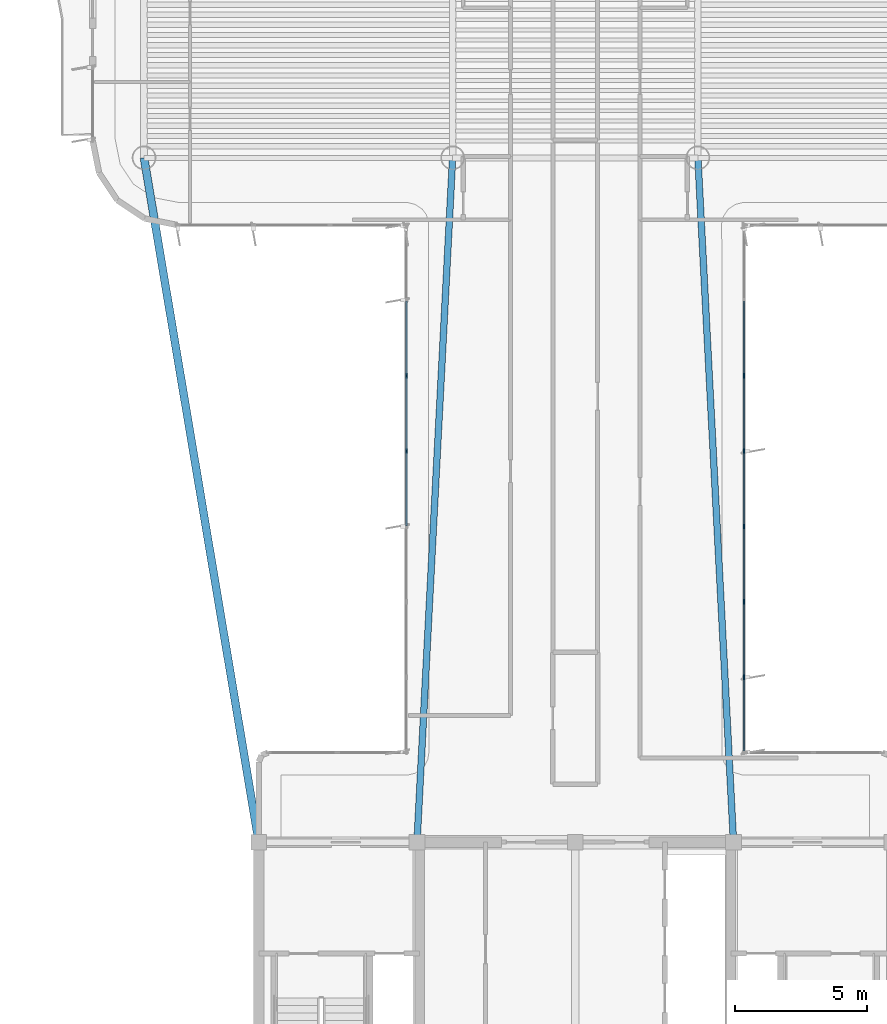
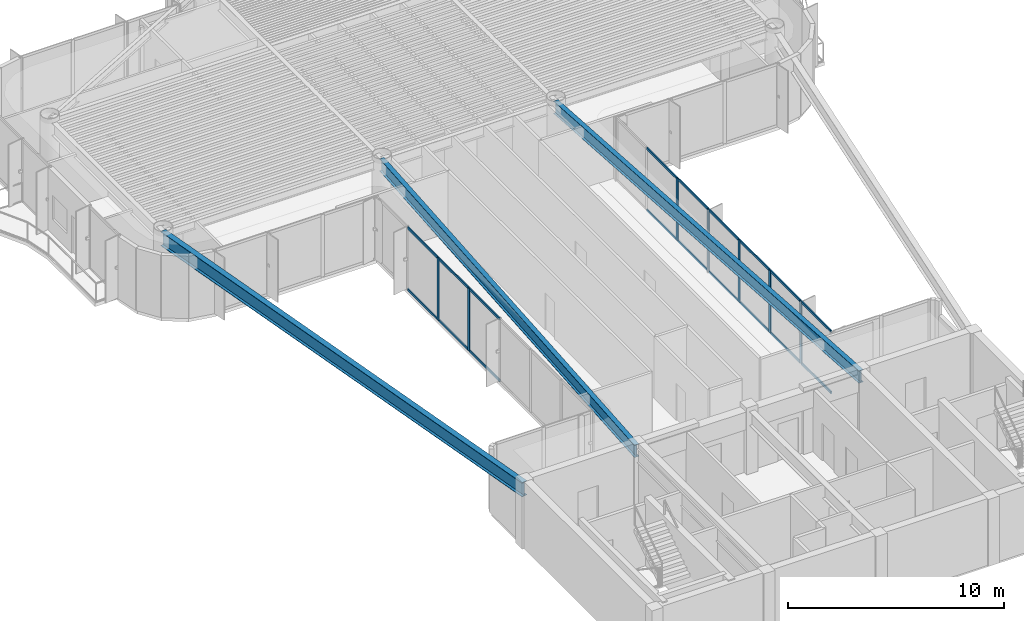
# One storey, part 3 of 15: 25 members, 3 beams, 2 elements without a shape of their own.
"""IFC4 building model written with IfcOpenShell, lengths in metres."""

from ifc_helpers import new_model, si_unit, direction, frame, origin, origin_2d, place, context, subcontext, project, spatial, rectangle, i_section, extrude, source, transform, mapped, material, layer, layer_set, material_profile, profile_set, type_object, element, aggregate, save


model = new_model("IFC4")

# Units and contexts
model_context = context("Model", 3, precision=1e-05, world=origin(), true_north=direction((0.0, 1.0)))
body_context = subcontext(model_context, "Body", "Model", "MODEL_VIEW")
ifc_project = project(units=[si_unit("LENGTHUNIT", "METRE"), si_unit("AREAUNIT", "SQUARE_METRE"), si_unit("VOLUMEUNIT", "CUBIC_METRE"), si_unit("PLANEANGLEUNIT", "RADIAN"), si_unit("MASSUNIT", "GRAM", prefix="KILO")], contexts=[model_context])

# Site, building, storey
site_placement = place(None, origin())
site = spatial("IfcSite", under=ifc_project, at=site_placement, CompositionType="ELEMENT")
building_placement = place(site_placement, origin())
building = spatial("IfcBuilding", under=site, at=building_placement, Name="Brelvock Crest Care Tower", CompositionType="ELEMENT")
storey_placement = place(building_placement, frame((0.0, 0.0, 272.159912109375)))
storey = spatial("IfcBuildingStorey", under=building, at=storey_placement, Name="L69", CompositionType="ELEMENT", Elevation=272.159912109375)

# Beams
ifc_material_1 = material(Name="Steel Grade 350", Category="steel")
ifc_material_profile_1 = material_profile(ifc_material_1, i_section(OverallWidth=0.25, OverallDepth=0.699951171875, WebThickness=0.011962890625, FlangeThickness=0.02001953125, at=origin_2d()), Name="700WB150")
ifc_profile_set_1 = profile_set([ifc_material_profile_1], Name="Steel Grade 350")
beam_type_1 = type_object("IfcBeamType", Name="BM-G4", PredefinedType="BEAM", material=ifc_profile_set_1)
shared_shape_1 = source(origin(), body_context, "Body", "SweptSolid", [
    extrude(i_section(OverallWidth=0.25, OverallDepth=0.699951171875, WebThickness=0.011962890625, FlangeThickness=0.02001953125, at=origin_2d()), origin(), (0.0, 0.0, 1.0), 25.985107421875),
])
for number, where, z_axis, x_axis, name in (
    (1, (30.0, 18.0, 3.18017578125), (0.051956711656, 0.998649337913, 0.0), (-0.998649337913, 0.051956711656, 0.0), "BM-THRW-L69"),
    (2, (42.0, 18.0, 3.18017578125), (-0.051956711656, 0.998649337913, 0.0), (-0.998649337913, -0.051956711656, 0.0), "BM-THRE-L69"),
):
    element("IfcBeam", number, at=place(storey_placement, frame(where, z_axis=z_axis, x_axis=x_axis)), inside=storey, type_object=beam_type_1, Name=name, PredefinedType="BEAM", context=body_context, shape_type="MappedRepresentation", body=[
        mapped(shared_shape_1, transform((0.0, 0.0, 0.0), x_axis=(1.0, 0.0, 0.0), y_axis=(0.0, 1.0, 0.0), z_axis=(0.0, 0.0, 1.0), scale=1.0)),
    ])
ifc_material_profile_2 = material_profile(ifc_material_1, i_section(OverallWidth=0.300048828125, OverallDepth=0.800048828125, WebThickness=0.013916015625, FlangeThickness=0.02197265625, at=origin_2d()), Name="800WB192")
ifc_profile_set_2 = profile_set([ifc_material_profile_2], Name="Steel Grade 350")
beam_type_2 = type_object("IfcBeamType", Name="BM-G5", PredefinedType="BEAM", material=ifc_profile_set_2)
shared_shape_2 = source(origin(), body_context, "Body", "SweptSolid", [
    extrude(i_section(OverallWidth=0.300048828125, OverallDepth=0.800048828125, WebThickness=0.013916015625, FlangeThickness=0.02197265625, at=origin_2d()), origin(), (0.0, 0.0, 1.0), 26.31201171875),
])
beam_placement = place(storey_placement, frame((24.0, 18.0, 3.130126953125), z_axis=(-0.165327282709, 0.986238758918, 0.0), x_axis=(-0.986238758918, -0.165327282709, 0.0)))
element("IfcBeam", 3, at=beam_placement, inside=storey, type_object=beam_type_2, Name="BM-THRO-W-L69", PredefinedType="BEAM", context=body_context, shape_type="MappedRepresentation", body=[
    mapped(shared_shape_2, transform((0.0, 0.0, 0.0), x_axis=(1.0, 0.0, 0.0), y_axis=(0.0, 1.0, 0.0), z_axis=(0.0, 0.0, 1.0), scale=1.0)),
])

# Curtain wall, members
ifc_material_2 = material(Name="Dark Glass Double Glazed Low-E", Category="glass")
ifc_layer = layer(ifc_material_2, 0.239990234375, Name="CWS-5")
ifc_layer_set = layer_set([ifc_layer], Name="Dark Glass Double Glazed Low-E")
curtain_wall_type = type_object("IfcCurtainWallType", Name="CWS-5", PredefinedType="NOTDEFINED", material=ifc_layer_set)
curtain_wall_1_placement = place(storey_placement, origin())
curtain_wall_1 = element("IfcCurtainWall", 4, at=curtain_wall_1_placement, inside=storey, type_object=curtain_wall_type, Name="L69 Curtain Wall E11", PredefinedType="NOTDEFINED")
ifc_material_3 = material(Name="Aluminium 6063-T6", Category="aluminium")
ifc_material_profile_3 = material_profile(ifc_material_3, rectangle(XDim=0.06005859375, YDim=0.179931640625, at=origin_2d()), Name="ALU60x180")
ifc_profile_set_3 = profile_set([ifc_material_profile_3], Name="Aluminium 6063-T6")
member_type_1 = type_object("IfcMemberType", Name="CWM-2", PredefinedType="MULLION", material=ifc_profile_set_3)
shared_shape_3 = source(origin(), body_context, "Body", "SweptSolid", [
    extrude(rectangle(XDim=0.06005859375, YDim=0.179931640625, at=origin_2d()), origin(), (0.0, 0.0, 1.0), 3.530029296875),
])
member_1_placement = place(storey_placement, frame((29.60009765625, 32.82861328125, 0.0), z_axis=(0.0, 0.0, 1.0), x_axis=(-1.0, 0.0, 0.0)))
member_1 = element("IfcMember", 5, at=member_1_placement, type_object=member_type_1, Name="CW-5 mullion 5", PredefinedType="MULLION", context=body_context, shape_type="MappedRepresentation", body=[
    mapped(shared_shape_3, transform((0.0, 0.0, 0.0), x_axis=(1.0, 0.0, 0.0), y_axis=(0.0, 1.0, 0.0), z_axis=(0.0, 0.0, 1.0), scale=1.0)),
])
member_2_placement = place(storey_placement, frame((29.60009765625, 35.685791015625, 0.0), z_axis=(0.0, 0.0, 1.0), x_axis=(-1.0, 0.0, 0.0)))
member_2 = element("IfcMember", 6, at=member_2_placement, type_object=member_type_1, Name="CW-5 mullion 6", PredefinedType="MULLION", context=body_context, shape_type="MappedRepresentation", body=[
    mapped(shared_shape_3, transform((0.0, 0.0, 0.0), x_axis=(1.0, 0.0, 0.0), y_axis=(0.0, 1.0, 0.0), z_axis=(0.0, 0.0, 1.0), scale=1.0)),
])

curtain_wall_2_placement = place(storey_placement, origin())
curtain_wall_2 = element("IfcCurtainWall", 7, at=curtain_wall_2_placement, inside=storey, type_object=curtain_wall_type, Name="L69 Curtain Wall E45", PredefinedType="NOTDEFINED")
member_3_placement = place(storey_placement, frame((42.39990234375, 35.685791015625, 0.0), z_axis=(0.0, 0.0, 1.0), x_axis=(1.0, 0.0, 0.0)))
member_3 = element("IfcMember", 8, at=member_3_placement, type_object=member_type_1, Name="CW-5 mullion 3", PredefinedType="MULLION", context=body_context, shape_type="MappedRepresentation", body=[
    mapped(shared_shape_3, transform((0.0, 0.0, 0.0), x_axis=(1.0, 0.0, 0.0), y_axis=(0.0, 1.0, 0.0), z_axis=(0.0, 0.0, 1.0), scale=1.0)),
])
member_4_placement = place(storey_placement, frame((42.39990234375, 32.82861328125, 0.0), z_axis=(0.0, 0.0, 1.0), x_axis=(1.0, 0.0, 0.0)))
member_4 = element("IfcMember", 9, at=member_4_placement, type_object=member_type_1, Name="CW-5 mullion 4", PredefinedType="MULLION", context=body_context, shape_type="MappedRepresentation", body=[
    mapped(shared_shape_3, transform((0.0, 0.0, 0.0), x_axis=(1.0, 0.0, 0.0), y_axis=(0.0, 1.0, 0.0), z_axis=(0.0, 0.0, 1.0), scale=1.0)),
])
member_5_placement = place(storey_placement, frame((42.39990234375, 29.971435546875, 0.0), z_axis=(0.0, 0.0, 1.0), x_axis=(1.0, 0.0, 0.0)))
member_5 = element("IfcMember", 10, at=member_5_placement, type_object=member_type_1, Name="CW-5 mullion 5", PredefinedType="MULLION", context=body_context, shape_type="MappedRepresentation", body=[
    mapped(shared_shape_3, transform((0.0, 0.0, 0.0), x_axis=(1.0, 0.0, 0.0), y_axis=(0.0, 1.0, 0.0), z_axis=(0.0, 0.0, 1.0), scale=1.0)),
])
member_6_placement = place(storey_placement, frame((42.39990234375, 27.1142578125, 0.0), z_axis=(0.0, 0.0, 1.0), x_axis=(1.0, 0.0, 0.0)))
member_6 = element("IfcMember", 11, at=member_6_placement, type_object=member_type_1, Name="CW-5 mullion 6", PredefinedType="MULLION", context=body_context, shape_type="MappedRepresentation", body=[
    mapped(shared_shape_3, transform((0.0, 0.0, 0.0), x_axis=(1.0, 0.0, 0.0), y_axis=(0.0, 1.0, 0.0), z_axis=(0.0, 0.0, 1.0), scale=1.0)),
])
member_7_placement = place(storey_placement, frame((42.39990234375, 24.257080078125, 0.0), z_axis=(0.0, 0.0, 1.0), x_axis=(1.0, 0.0, 0.0)))
member_7 = element("IfcMember", 12, at=member_7_placement, type_object=member_type_1, Name="CW-5 mullion 7", PredefinedType="MULLION", context=body_context, shape_type="MappedRepresentation", body=[
    mapped(shared_shape_3, transform((0.0, 0.0, 0.0), x_axis=(1.0, 0.0, 0.0), y_axis=(0.0, 1.0, 0.0), z_axis=(0.0, 0.0, 1.0), scale=1.0)),
])
ifc_material_profile_4 = material_profile(ifc_material_3, rectangle(XDim=0.06005859375, YDim=0.139892578125, at=origin_2d()), Name="ALU60x140")
ifc_profile_set_4 = profile_set([ifc_material_profile_4], Name="Aluminium 6063-T6")
member_type_2 = type_object("IfcMemberType", Name="CWT-2", PredefinedType="USERDEFINED", material=ifc_profile_set_4)
shared_shape_4 = source(origin(), body_context, "Body", "SweptSolid", [
    extrude(rectangle(XDim=0.06005859375, YDim=0.139892578125, at=origin_2d()), origin(), (0.0, 0.0, 1.0), 2.76708984375),
])
member_8_placement = place(storey_placement, frame((42.39990234375, 24.22705078125, 0.030029296875), z_axis=(0.0, -1.0, 0.0), x_axis=(1.0, 0.0, 0.0)))
member_8 = element("IfcMember", 13, at=member_8_placement, type_object=member_type_2, Name="CW-5 transom 7.1", ObjectType="TRANSOM", PredefinedType="USERDEFINED", context=body_context, shape_type="MappedRepresentation", body=[
    mapped(shared_shape_4, transform((0.0, 0.0, 0.0), x_axis=(1.0, 0.0, 0.0), y_axis=(0.0, 1.0, 0.0), z_axis=(0.0, 0.0, 1.0), scale=1.0)),
])
member_9_placement = place(storey_placement, frame((42.39990234375, 24.22705078125, 3.5), z_axis=(0.0, -1.0, 0.0), x_axis=(1.0, 0.0, 0.0)))
member_9 = element("IfcMember", 14, at=member_9_placement, type_object=member_type_2, Name="CW-5 transom 7.2", ObjectType="TRANSOM", PredefinedType="USERDEFINED", context=body_context, shape_type="MappedRepresentation", body=[
    mapped(shared_shape_4, transform((0.0, 0.0, 0.0), x_axis=(1.0, 0.0, 0.0), y_axis=(0.0, 1.0, 0.0), z_axis=(0.0, 0.0, 1.0), scale=1.0)),
])

# Member
shared_shape_5 = source(origin(), body_context, "Body", "SweptSolid", [
    extrude(rectangle(XDim=0.06005859375, YDim=0.139892578125, at=origin_2d()), origin(), (0.0, 0.0, 1.0), 2.797119140625),
])
member_10_placement = place(storey_placement, frame((29.60009765625, 30.00146484375, 0.030029296875), z_axis=(0.0, 1.0, 0.0), x_axis=(-1.0, 0.0, 0.0)))
member_10 = element("IfcMember", 15, at=member_10_placement, type_object=member_type_2, Name="CW-5 transom 4.1", ObjectType="TRANSOM", PredefinedType="USERDEFINED", context=body_context, shape_type="MappedRepresentation", body=[
    mapped(shared_shape_5, transform((0.0, 0.0, 0.0), x_axis=(1.0, 0.0, 0.0), y_axis=(0.0, 1.0, 0.0), z_axis=(0.0, 0.0, 1.0), scale=1.0)),
])

member_11_placement = place(storey_placement, frame((29.60009765625, 30.00146484375, 3.5), z_axis=(0.0, 1.0, 0.0), x_axis=(-1.0, 0.0, 0.0)))
member_11 = element("IfcMember", 16, at=member_11_placement, type_object=member_type_2, Name="CW-5 transom 4.2", ObjectType="TRANSOM", PredefinedType="USERDEFINED", context=body_context, shape_type="MappedRepresentation", body=[
    mapped(shared_shape_5, transform((0.0, 0.0, 0.0), x_axis=(1.0, 0.0, 0.0), y_axis=(0.0, 1.0, 0.0), z_axis=(0.0, 0.0, 1.0), scale=1.0)),
])

member_12_placement = place(storey_placement, frame((29.60009765625, 32.858642578125, 0.030029296875), z_axis=(0.0, 1.0, 0.0), x_axis=(-1.0, 0.0, 0.0)))
member_12 = element("IfcMember", 17, at=member_12_placement, type_object=member_type_2, Name="CW-5 transom 5.1", ObjectType="TRANSOM", PredefinedType="USERDEFINED", context=body_context, shape_type="MappedRepresentation", body=[
    mapped(shared_shape_5, transform((0.0, 0.0, 0.0), x_axis=(1.0, 0.0, 0.0), y_axis=(0.0, 1.0, 0.0), z_axis=(0.0, 0.0, 1.0), scale=1.0)),
])

member_13_placement = place(storey_placement, frame((29.60009765625, 32.858642578125, 3.5), z_axis=(0.0, 1.0, 0.0), x_axis=(-1.0, 0.0, 0.0)))
member_13 = element("IfcMember", 18, at=member_13_placement, type_object=member_type_2, Name="CW-5 transom 5.2", ObjectType="TRANSOM", PredefinedType="USERDEFINED", context=body_context, shape_type="MappedRepresentation", body=[
    mapped(shared_shape_5, transform((0.0, 0.0, 0.0), x_axis=(1.0, 0.0, 0.0), y_axis=(0.0, 1.0, 0.0), z_axis=(0.0, 0.0, 1.0), scale=1.0)),
])

member_14_placement = place(storey_placement, frame((29.60009765625, 35.7158203125, 0.030029296875), z_axis=(0.0, 1.0, 0.0), x_axis=(-1.0, 0.0, 0.0)))
member_14 = element("IfcMember", 19, at=member_14_placement, type_object=member_type_2, Name="CW-5 transom 6.1", ObjectType="TRANSOM", PredefinedType="USERDEFINED", context=body_context, shape_type="MappedRepresentation", body=[
    mapped(shared_shape_5, transform((0.0, 0.0, 0.0), x_axis=(1.0, 0.0, 0.0), y_axis=(0.0, 1.0, 0.0), z_axis=(0.0, 0.0, 1.0), scale=1.0)),
])

member_15_placement = place(storey_placement, frame((29.60009765625, 35.7158203125, 3.5), z_axis=(0.0, 1.0, 0.0), x_axis=(-1.0, 0.0, 0.0)))
member_15 = element("IfcMember", 20, at=member_15_placement, type_object=member_type_2, Name="CW-5 transom 6.2", ObjectType="TRANSOM", PredefinedType="USERDEFINED", context=body_context, shape_type="MappedRepresentation", body=[
    mapped(shared_shape_5, transform((0.0, 0.0, 0.0), x_axis=(1.0, 0.0, 0.0), y_axis=(0.0, 1.0, 0.0), z_axis=(0.0, 0.0, 1.0), scale=1.0)),
])

aggregate(curtain_wall_1, [member_1, member_2, member_10, member_11, member_12, member_13, member_14, member_15])

member_16_placement = place(storey_placement, frame((42.39990234375, 38.512939453125, 0.030029296875), z_axis=(0.0, -1.0, 0.0), x_axis=(1.0, 0.0, 0.0)))
member_16 = element("IfcMember", 21, at=member_16_placement, type_object=member_type_2, Name="CW-5 transom 2.1", ObjectType="TRANSOM", PredefinedType="USERDEFINED", context=body_context, shape_type="MappedRepresentation", body=[
    mapped(shared_shape_5, transform((0.0, 0.0, 0.0), x_axis=(1.0, 0.0, 0.0), y_axis=(0.0, 1.0, 0.0), z_axis=(0.0, 0.0, 1.0), scale=1.0)),
])

member_17_placement = place(storey_placement, frame((42.39990234375, 38.512939453125, 3.5), z_axis=(0.0, -1.0, 0.0), x_axis=(1.0, 0.0, 0.0)))
member_17 = element("IfcMember", 22, at=member_17_placement, type_object=member_type_2, Name="CW-5 transom 2.2", ObjectType="TRANSOM", PredefinedType="USERDEFINED", context=body_context, shape_type="MappedRepresentation", body=[
    mapped(shared_shape_5, transform((0.0, 0.0, 0.0), x_axis=(1.0, 0.0, 0.0), y_axis=(0.0, 1.0, 0.0), z_axis=(0.0, 0.0, 1.0), scale=1.0)),
])

member_18_placement = place(storey_placement, frame((42.39990234375, 35.65576171875, 0.030029296875), z_axis=(0.0, -1.0, 0.0), x_axis=(1.0, 0.0, 0.0)))
member_18 = element("IfcMember", 23, at=member_18_placement, type_object=member_type_2, Name="CW-5 transom 3.1", ObjectType="TRANSOM", PredefinedType="USERDEFINED", context=body_context, shape_type="MappedRepresentation", body=[
    mapped(shared_shape_5, transform((0.0, 0.0, 0.0), x_axis=(1.0, 0.0, 0.0), y_axis=(0.0, 1.0, 0.0), z_axis=(0.0, 0.0, 1.0), scale=1.0)),
])

member_19_placement = place(storey_placement, frame((42.39990234375, 35.65576171875, 3.5), z_axis=(0.0, -1.0, 0.0), x_axis=(1.0, 0.0, 0.0)))
member_19 = element("IfcMember", 24, at=member_19_placement, type_object=member_type_2, Name="CW-5 transom 3.2", ObjectType="TRANSOM", PredefinedType="USERDEFINED", context=body_context, shape_type="MappedRepresentation", body=[
    mapped(shared_shape_5, transform((0.0, 0.0, 0.0), x_axis=(1.0, 0.0, 0.0), y_axis=(0.0, 1.0, 0.0), z_axis=(0.0, 0.0, 1.0), scale=1.0)),
])

member_20_placement = place(storey_placement, frame((42.39990234375, 32.798583984375, 0.030029296875), z_axis=(0.0, -1.0, 0.0), x_axis=(1.0, 0.0, 0.0)))
member_20 = element("IfcMember", 25, at=member_20_placement, type_object=member_type_2, Name="CW-5 transom 4.1", ObjectType="TRANSOM", PredefinedType="USERDEFINED", context=body_context, shape_type="MappedRepresentation", body=[
    mapped(shared_shape_5, transform((0.0, 0.0, 0.0), x_axis=(1.0, 0.0, 0.0), y_axis=(0.0, 1.0, 0.0), z_axis=(0.0, 0.0, 1.0), scale=1.0)),
])

member_21_placement = place(storey_placement, frame((42.39990234375, 32.798583984375, 3.5), z_axis=(0.0, -1.0, 0.0), x_axis=(1.0, 0.0, 0.0)))
member_21 = element("IfcMember", 26, at=member_21_placement, type_object=member_type_2, Name="CW-5 transom 4.2", ObjectType="TRANSOM", PredefinedType="USERDEFINED", context=body_context, shape_type="MappedRepresentation", body=[
    mapped(shared_shape_5, transform((0.0, 0.0, 0.0), x_axis=(1.0, 0.0, 0.0), y_axis=(0.0, 1.0, 0.0), z_axis=(0.0, 0.0, 1.0), scale=1.0)),
])

member_22_placement = place(storey_placement, frame((42.39990234375, 29.94140625, 0.030029296875), z_axis=(0.0, -1.0, 0.0), x_axis=(1.0, 0.0, 0.0)))
member_22 = element("IfcMember", 27, at=member_22_placement, type_object=member_type_2, Name="CW-5 transom 5.1", ObjectType="TRANSOM", PredefinedType="USERDEFINED", context=body_context, shape_type="MappedRepresentation", body=[
    mapped(shared_shape_5, transform((0.0, 0.0, 0.0), x_axis=(1.0, 0.0, 0.0), y_axis=(0.0, 1.0, 0.0), z_axis=(0.0, 0.0, 1.0), scale=1.0)),
])

member_23_placement = place(storey_placement, frame((42.39990234375, 29.94140625, 3.5), z_axis=(0.0, -1.0, 0.0), x_axis=(1.0, 0.0, 0.0)))
member_23 = element("IfcMember", 28, at=member_23_placement, type_object=member_type_2, Name="CW-5 transom 5.2", ObjectType="TRANSOM", PredefinedType="USERDEFINED", context=body_context, shape_type="MappedRepresentation", body=[
    mapped(shared_shape_5, transform((0.0, 0.0, 0.0), x_axis=(1.0, 0.0, 0.0), y_axis=(0.0, 1.0, 0.0), z_axis=(0.0, 0.0, 1.0), scale=1.0)),
])

member_24_placement = place(storey_placement, frame((42.39990234375, 27.084228515625, 0.030029296875), z_axis=(0.0, -1.0, 0.0), x_axis=(1.0, 0.0, 0.0)))
member_24 = element("IfcMember", 29, at=member_24_placement, type_object=member_type_2, Name="CW-5 transom 6.1", ObjectType="TRANSOM", PredefinedType="USERDEFINED", context=body_context, shape_type="MappedRepresentation", body=[
    mapped(shared_shape_5, transform((0.0, 0.0, 0.0), x_axis=(1.0, 0.0, 0.0), y_axis=(0.0, 1.0, 0.0), z_axis=(0.0, 0.0, 1.0), scale=1.0)),
])

member_25_placement = place(storey_placement, frame((42.39990234375, 27.084228515625, 3.5), z_axis=(0.0, -1.0, 0.0), x_axis=(1.0, 0.0, 0.0)))
member_25 = element("IfcMember", 30, at=member_25_placement, type_object=member_type_2, Name="CW-5 transom 6.2", ObjectType="TRANSOM", PredefinedType="USERDEFINED", context=body_context, shape_type="MappedRepresentation", body=[
    mapped(shared_shape_5, transform((0.0, 0.0, 0.0), x_axis=(1.0, 0.0, 0.0), y_axis=(0.0, 1.0, 0.0), z_axis=(0.0, 0.0, 1.0), scale=1.0)),
])

aggregate(curtain_wall_2, [member_3, member_4, member_5, member_6, member_7, member_16, member_17, member_18, member_19, member_20, member_21, member_22, member_23, member_24, member_25, member_8, member_9])

save(model, "model.ifc")
